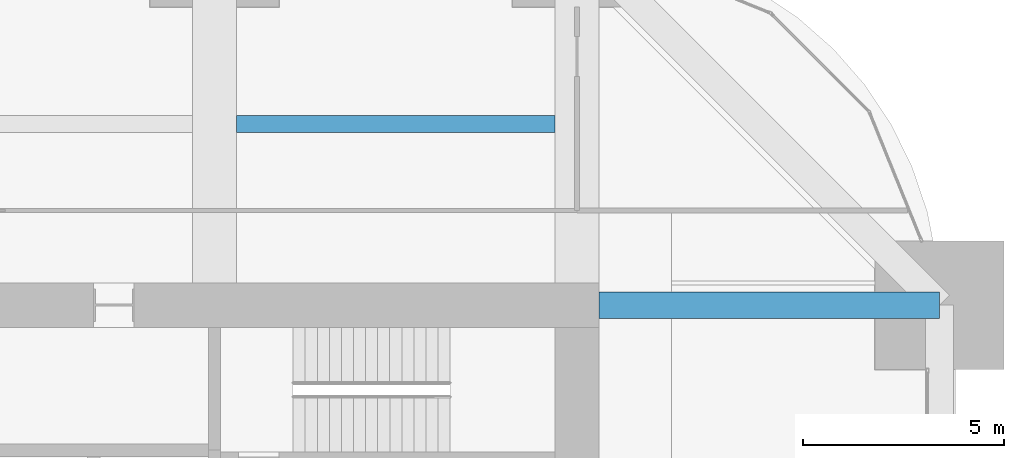
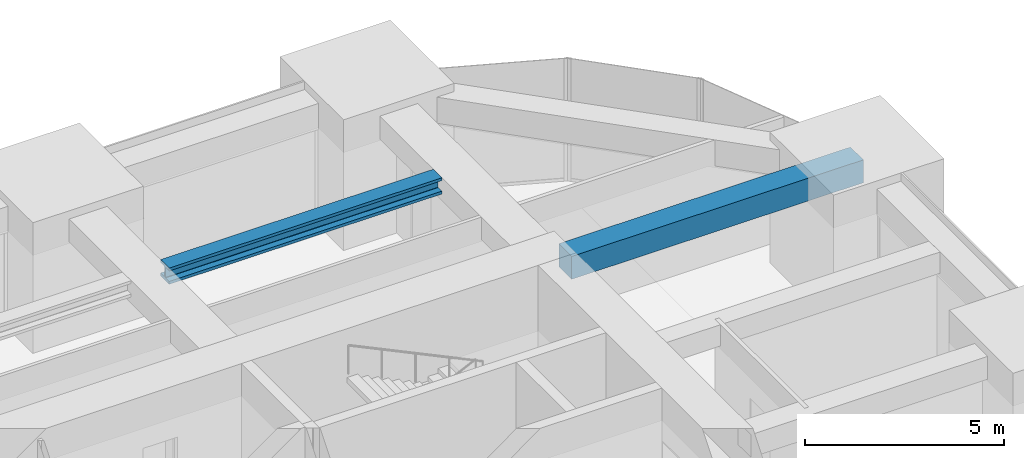
# One storey, part 30 of 40: 2 beams.
"""IFC4 building model written with IfcOpenShell, lengths in metres."""

from ifc_helpers import new_model, si_unit, direction, frame, origin, origin_2d, place, context, subcontext, project, spatial, rectangle, i_section, extrude, material, material_profile, profile_set, type_object, element, save


model = new_model("IFC4")

# Units and contexts
model_context = context("Model", 3, precision=1e-05, world=origin(), true_north=direction((0.0, 1.0)))
body_context = subcontext(model_context, "Body", "Model", "MODEL_VIEW")
ifc_project = project(units=[si_unit("LENGTHUNIT", "METRE"), si_unit("AREAUNIT", "SQUARE_METRE"), si_unit("VOLUMEUNIT", "CUBIC_METRE"), si_unit("PLANEANGLEUNIT", "RADIAN"), si_unit("MASSUNIT", "GRAM", prefix="KILO")], contexts=[model_context])

# Site, building, storey
site_placement = place(None, origin())
site = spatial("IfcSite", under=ifc_project, at=site_placement, CompositionType="ELEMENT")
building_placement = place(site_placement, origin())
building = spatial("IfcBuilding", under=site, at=building_placement, Name="Zorevar Civic Tower", CompositionType="ELEMENT")
storey_placement = place(building_placement, frame((0.0, 0.0, 239.39990234375)))
storey = spatial("IfcBuildingStorey", under=building, at=storey_placement, Name="L58", CompositionType="ELEMENT", Elevation=239.39990234375)

# Beams
ifc_material_1 = material(Name="Concrete C50/60", Category="concrete")
ifc_material_profile_1 = material_profile(ifc_material_1, rectangle(XDim=0.64990234375, YDim=0.699951171875, at=origin_2d()), Name="RC 650x700")
ifc_profile_set_1 = profile_set([ifc_material_profile_1], Name="Concrete C50/60")
beam_type_1 = type_object("IfcBeamType", Name="Beam RC 650x700", PredefinedType="BEAM", material=ifc_profile_set_1)
beam_1_placement = place(storey_placement, frame((45.550048828125, 36.0, 3.400146484375), z_axis=(1.0, 0.0, 0.0), x_axis=(0.0, 1.0, 0.0)))
element("IfcBeam", 1, at=beam_1_placement, inside=storey, type_object=beam_type_1, Name="Girder L59", PredefinedType="BEAM", context=body_context, shape_type="SweptSolid", body=[
    extrude(rectangle(XDim=0.64990234375, YDim=0.699951171875, at=origin_2d()), origin(), (0.0, 0.0, 1.0), 8.449951171875),
])
ifc_material_2 = material(Name="Steel S460M (HISTAR 460)", Category="steel")
ifc_material_profile_2 = material_profile(ifc_material_2, i_section(OverallWidth=0.431884765625, OverallDepth=0.498046875, WebThickness=0.0556640625, FlangeThickness=0.0888671875, FilletRadius=0.014892578125, at=origin_2d()), Name="HD 400x744")
ifc_profile_set_2 = profile_set([ifc_material_profile_2], Name="Steel S460M (HISTAR 460)")
beam_type_2 = type_object("IfcBeamType", Name="Core bay beam HD 400x744", PredefinedType="BEAM", material=ifc_profile_set_2)
beam_2_placement = place(storey_placement, frame((36.550048828125, 40.5, 3.5009765625), z_axis=(1.0, 0.0, 0.0), x_axis=(0.0, 1.0, 0.0)))
element("IfcBeam", 2, at=beam_2_placement, inside=storey, type_object=beam_type_2, Name="Secondary beam L59", PredefinedType="BEAM", context=body_context, shape_type="SweptSolid", body=[
    extrude(i_section(OverallWidth=0.431884765625, OverallDepth=0.498046875, WebThickness=0.0556640625, FlangeThickness=0.0888671875, FilletRadius=0.014892578125, at=origin_2d()), origin(), (0.0, 0.0, 1.0), 7.89990234375),
])

save(model, "model.ifc")
